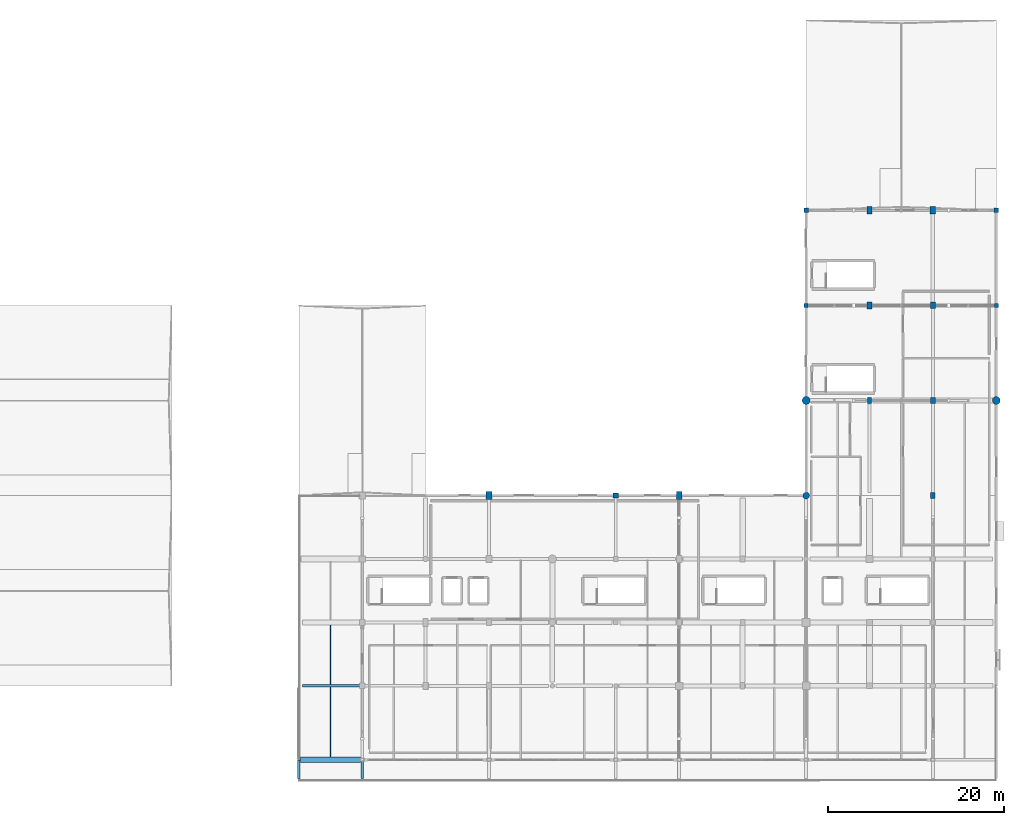
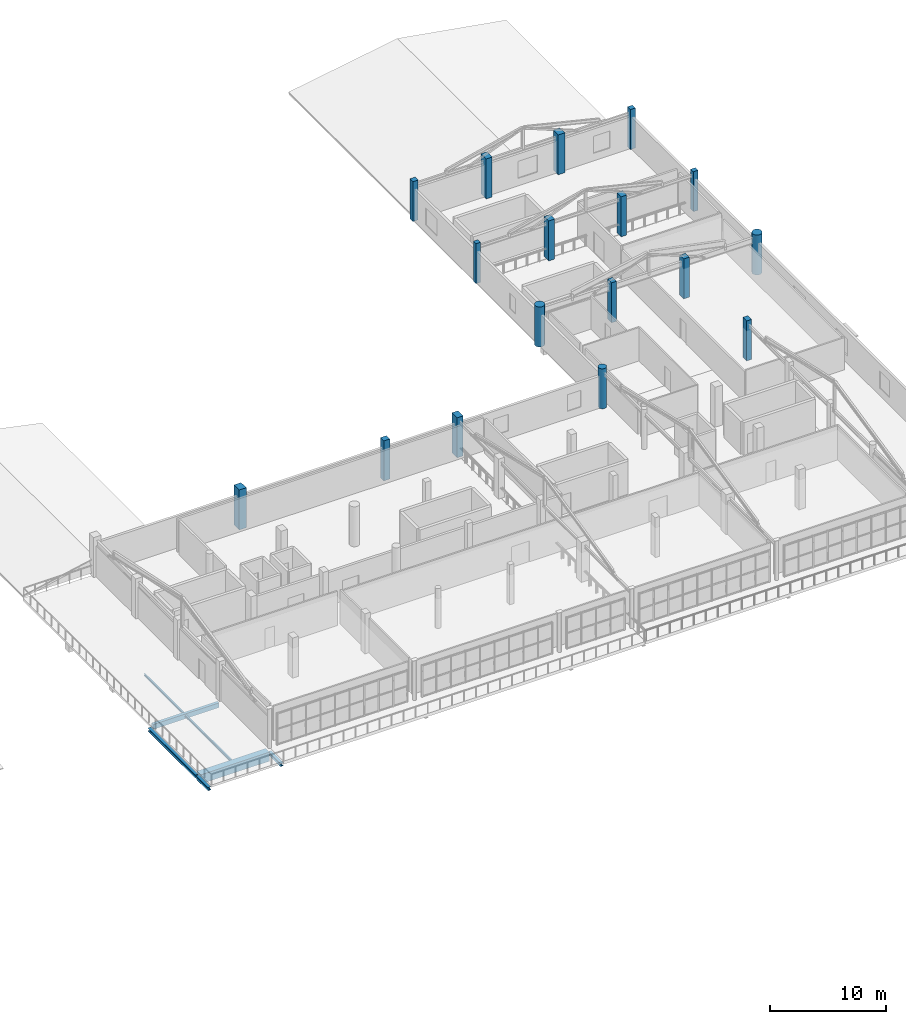
# One storey, part 4 of 41: 17 columns, 7 beams.
"""IFC4 building model written with IfcOpenShell, lengths in metres."""

from ifc_helpers import new_model, si_unit, direction, frame, origin, origin_2d, place, context, subcontext, project, spatial, rectangle, circle, i_section, extrude, material, material_profile, profile_set, type_object, element, save


model = new_model("IFC4")

# Units and contexts
model_context = context("Model", 3, precision=1e-05, world=origin(), true_north=direction((0.0, 1.0)))
body_context = subcontext(model_context, "Body", "Model", "MODEL_VIEW")
ifc_project = project(units=[si_unit("LENGTHUNIT", "METRE"), si_unit("AREAUNIT", "SQUARE_METRE"), si_unit("VOLUMEUNIT", "CUBIC_METRE"), si_unit("PLANEANGLEUNIT", "RADIAN"), si_unit("MASSUNIT", "GRAM", prefix="KILO")], contexts=[model_context])

# Site, building, storey
site_placement = place(None, origin())
site = spatial("IfcSite", under=ifc_project, at=site_placement, CompositionType="ELEMENT")
building_placement = place(site_placement, origin())
building = spatial("IfcBuilding", under=site, at=building_placement, Name="Solanera Park Tramway Depot", CompositionType="ELEMENT")
storey_placement = place(building_placement, frame((0.0, 0.0, 13.199951171875)))
storey = spatial("IfcBuildingStorey", under=building, at=storey_placement, Name="L03", CompositionType="ELEMENT", Elevation=13.199951171875)

# Columns
ifc_material_1 = material(Name="Concrete N40 (C40/50)", Category="concrete")
ifc_material_profile_1 = material_profile(ifc_material_1, rectangle(XDim=0.449951171875, YDim=0.449951171875, at=origin_2d()), Name="RC 450x450")
ifc_profile_set_1 = profile_set([ifc_material_profile_1], Name="Concrete N40 (C40/50)")
column_type_1 = type_object("IfcColumnType", Name="RC Column Ext RC 450x450", PredefinedType="COLUMN", material=ifc_profile_set_1)
for number, where, z_axis, x_axis, name in (
    (1, (165.60009765625, 54.0, 0.0), (0.0, 0.0, 1.0), (1.0, 0.0, 0.0), "L03 Column V4-X1656-Y540"),
    (2, (187.199951171875, 54.0, 0.0), (0.0, 0.0, 1.0), (1.0, 0.0, 0.0), "L03 Column V4-X1872-Y540"),
):
    element("IfcColumn", number, at=place(storey_placement, frame(where, z_axis=z_axis, x_axis=x_axis)), inside=storey, type_object=column_type_1, Name=name, PredefinedType="COLUMN", context=body_context, shape_type="SweptSolid", body=[
        extrude(rectangle(XDim=0.449951171875, YDim=0.449951171875, at=origin_2d()), origin(), (0.0, 0.0, 1.0), 4.199951171875),
    ])
ifc_material_2 = material(Name="Concrete N40 (C40/50)", Category="concrete")
ifc_material_profile_2 = material_profile(ifc_material_2, rectangle(XDim=0.5, YDim=0.5, at=origin_2d()), Name="RC 500x500")
ifc_profile_set_2 = profile_set([ifc_material_profile_2], Name="Concrete N40 (C40/50)")
column_type_2 = type_object("IfcColumnType", Name="RC Column Ext RC 500x500", PredefinedType="COLUMN", material=ifc_profile_set_2)
column_1_placement = place(storey_placement, frame((187.199951171875, 64.800048828125, 0.0), z_axis=(0.0, 0.0, 1.0), x_axis=(1.0, 0.0, 0.0)))
element("IfcColumn", 3, at=column_1_placement, inside=storey, type_object=column_type_2, Name="L03 Column V4-X1872-Y648", PredefinedType="COLUMN", context=body_context, shape_type="SweptSolid", body=[
    extrude(rectangle(XDim=0.5, YDim=0.5, at=origin_2d()), origin(), (0.0, 0.0, 1.0), 4.199951171875),
])
ifc_material_3 = material(Name="Concrete N40 (C40/50)", Category="concrete")
ifc_material_profile_3 = material_profile(ifc_material_3, rectangle(XDim=0.550048828125, YDim=0.75, at=origin_2d()), Name="RC 550x750")
ifc_profile_set_3 = profile_set([ifc_material_profile_3], Name="Concrete N40 (C40/50)")
column_type_3 = type_object("IfcColumnType", Name="RC Column Ext RC 550x750", PredefinedType="COLUMN", material=ifc_profile_set_3)
column_2_placement = place(storey_placement, frame((180.0, 54.0, 0.0), z_axis=(0.0, 0.0, 1.0), x_axis=(1.0, 0.0, 0.0)))
element("IfcColumn", 4, at=column_2_placement, inside=storey, type_object=column_type_3, Name="L03 Column V4-X1800-Y540", PredefinedType="COLUMN", context=body_context, shape_type="SweptSolid", body=[
    extrude(rectangle(XDim=0.550048828125, YDim=0.75, at=origin_2d()), origin(), (0.0, 0.0, 1.0), 4.199951171875),
])
ifc_material_4 = material(Name="Concrete N40 (C40/50)", Category="concrete")
ifc_material_profile_4 = material_profile(ifc_material_4, rectangle(XDim=0.60009765625, YDim=0.800048828125, at=origin_2d()), Name="RC 600x800")
ifc_profile_set_4 = profile_set([ifc_material_profile_4], Name="Concrete N40 (C40/50)")
column_type_4 = type_object("IfcColumnType", Name="RC Column Ext RC 600x800", PredefinedType="COLUMN", material=ifc_profile_set_4)
column_3_placement = place(storey_placement, frame((172.800048828125, 54.0, 0.0), z_axis=(0.0, 0.0, 1.0), x_axis=(1.0, 0.0, 0.0)))
element("IfcColumn", 5, at=column_3_placement, inside=storey, type_object=column_type_4, Name="L03 Column V4-X1728-Y540", PredefinedType="COLUMN", context=body_context, shape_type="SweptSolid", body=[
    extrude(rectangle(XDim=0.60009765625, YDim=0.800048828125, at=origin_2d()), origin(), (0.0, 0.0, 1.0), 4.199951171875),
])
ifc_material_5 = material(Name="Concrete N40 (C40/50)", Category="concrete")
ifc_material_profile_5 = material_profile(ifc_material_5, circle(Radius=0.449951171875, at=origin_2d()), Name="RC D900")
ifc_profile_set_5 = profile_set([ifc_material_profile_5], Name="Concrete N40 (C40/50)")
column_type_5 = type_object("IfcColumnType", Name="RC Column Ext RC D900", PredefinedType="COLUMN", material=ifc_profile_set_5)
column_4_placement = place(storey_placement, frame((187.199951171875, 43.199951171875, 0.0), z_axis=(0.0, 0.0, 1.0), x_axis=(1.0, 0.0, 0.0)))
element("IfcColumn", 6, at=column_4_placement, inside=storey, type_object=column_type_5, Name="L03 Column V4-X1872-Y432", PredefinedType="COLUMN", context=body_context, shape_type="SweptSolid", body=[
    extrude(circle(Radius=0.449951171875, at=origin_2d()), origin(), (0.0, 0.0, 1.0), 4.199951171875),
])
ifc_material_6 = material(Name="Concrete N40 (C40/50)", Category="concrete")
ifc_material_profile_6 = material_profile(ifc_material_6, rectangle(XDim=0.5, YDim=0.5, at=origin_2d()), Name="RC 500x500")
ifc_profile_set_6 = profile_set([ifc_material_profile_6], Name="Concrete N40 (C40/50)")
column_type_6 = type_object("IfcColumnType", Name="RC Column Int RC 500x500", PredefinedType="COLUMN", material=ifc_profile_set_6)
column_5_placement = place(storey_placement, frame((165.60009765625, 64.800048828125, 0.0), z_axis=(0.0, 0.0, 1.0), x_axis=(1.0, 0.0, 0.0)))
element("IfcColumn", 7, at=column_5_placement, inside=storey, type_object=column_type_6, Name="L03 Column V4-X1656-Y648", PredefinedType="COLUMN", context=body_context, shape_type="SweptSolid", body=[
    extrude(rectangle(XDim=0.5, YDim=0.5, at=origin_2d()), origin(), (0.0, 0.0, 1.0), 4.199951171875),
])
ifc_material_7 = material(Name="Concrete N40 (C40/50)", Category="concrete")
ifc_material_profile_7 = material_profile(ifc_material_7, rectangle(XDim=0.5, YDim=0.64990234375, at=origin_2d()), Name="RC 500x650")
ifc_profile_set_7 = profile_set([ifc_material_profile_7], Name="Concrete N40 (C40/50)")
column_type_7 = type_object("IfcColumnType", Name="RC Column Int RC 500x650", PredefinedType="COLUMN", material=ifc_profile_set_7)
column_6_placement = place(storey_placement, frame((180.0, 32.39990234375, 0.0), z_axis=(0.0, 0.0, 1.0), x_axis=(1.0, 0.0, 0.0)))
element("IfcColumn", 8, at=column_6_placement, inside=storey, type_object=column_type_7, Name="L03 Column V4-X1800-Y324", PredefinedType="COLUMN", context=body_context, shape_type="SweptSolid", body=[
    extrude(rectangle(XDim=0.5, YDim=0.64990234375, at=origin_2d()), origin(), (0.0, 0.0, 1.0), 4.199951171875),
])
ifc_material_8 = material(Name="Concrete N40 (C40/50)", Category="concrete")
ifc_material_profile_8 = material_profile(ifc_material_8, rectangle(XDim=0.5, YDim=0.699951171875, at=origin_2d()), Name="RC 500x700")
ifc_profile_set_8 = profile_set([ifc_material_profile_8], Name="Concrete N40 (C40/50)")
column_type_8 = type_object("IfcColumnType", Name="RC Column Int RC 500x700", PredefinedType="COLUMN", material=ifc_profile_set_8)
column_7_placement = place(storey_placement, frame((172.800048828125, 43.199951171875, 0.0), z_axis=(0.0, 0.0, 1.0), x_axis=(1.0, 0.0, 0.0)))
element("IfcColumn", 9, at=column_7_placement, inside=storey, type_object=column_type_8, Name="L03 Column V4-X1728-Y432", PredefinedType="COLUMN", context=body_context, shape_type="SweptSolid", body=[
    extrude(rectangle(XDim=0.5, YDim=0.699951171875, at=origin_2d()), origin(), (0.0, 0.0, 1.0), 4.199951171875),
])
ifc_material_9 = material(Name="Concrete N40 (C40/50)", Category="concrete")
ifc_material_profile_9 = material_profile(ifc_material_9, rectangle(XDim=0.550048828125, YDim=0.699951171875, at=origin_2d()), Name="RC 550x700")
ifc_profile_set_9 = profile_set([ifc_material_profile_9], Name="Concrete N40 (C40/50)")
column_type_9 = type_object("IfcColumnType", Name="RC Column Int RC 550x700", PredefinedType="COLUMN", material=ifc_profile_set_9)
column_8_placement = place(storey_placement, frame((180.0, 43.199951171875, 0.0), z_axis=(0.0, 0.0, 1.0), x_axis=(1.0, 0.0, 0.0)))
element("IfcColumn", 10, at=column_8_placement, inside=storey, type_object=column_type_9, Name="L03 Column V4-X1800-Y432", PredefinedType="COLUMN", context=body_context, shape_type="SweptSolid", body=[
    extrude(rectangle(XDim=0.550048828125, YDim=0.699951171875, at=origin_2d()), origin(), (0.0, 0.0, 1.0), 4.199951171875),
])
ifc_material_10 = material(Name="Concrete N40 (C40/50)", Category="concrete")
ifc_material_profile_10 = material_profile(ifc_material_10, rectangle(XDim=0.60009765625, YDim=0.60009765625, at=origin_2d()), Name="RC 600x600")
ifc_profile_set_10 = profile_set([ifc_material_profile_10], Name="Concrete N40 (C40/50)")
column_type_10 = type_object("IfcColumnType", Name="RC Column Int RC 600x600", PredefinedType="COLUMN", material=ifc_profile_set_10)
column_9_placement = place(storey_placement, frame((144.0, 32.39990234375, 0.0), z_axis=(0.0, 0.0, 1.0), x_axis=(1.0, 0.0, 0.0)))
element("IfcColumn", 11, at=column_9_placement, inside=storey, type_object=column_type_10, Name="L03 Column V4-X1440-Y324", PredefinedType="COLUMN", context=body_context, shape_type="SweptSolid", body=[
    extrude(rectangle(XDim=0.60009765625, YDim=0.60009765625, at=origin_2d()), origin(), (0.0, 0.0, 1.0), 4.199951171875),
])
ifc_material_11 = material(Name="Concrete N40 (C40/50)", Category="concrete")
ifc_material_profile_11 = material_profile(ifc_material_11, rectangle(XDim=0.60009765625, YDim=0.89990234375, at=origin_2d()), Name="RC 600x900")
ifc_profile_set_11 = profile_set([ifc_material_profile_11], Name="Concrete N40 (C40/50)")
column_type_11 = type_object("IfcColumnType", Name="RC Column Int RC 600x900", PredefinedType="COLUMN", material=ifc_profile_set_11)
for number, where, z_axis, x_axis, name in (
    (12, (151.199951171875, 32.39990234375, 0.0), (0.0, 0.0, 1.0), (1.0, 0.0, 0.0), "L03 Column V4-X1512-Y324"),
    (13, (172.800048828125, 64.800048828125, 0.0), (0.0, 0.0, 1.0), (1.0, 0.0, 0.0), "L03 Column V4-X1728-Y648"),
):
    element("IfcColumn", number, at=place(storey_placement, frame(where, z_axis=z_axis, x_axis=x_axis)), inside=storey, type_object=column_type_11, Name=name, PredefinedType="COLUMN", context=body_context, shape_type="SweptSolid", body=[
        extrude(rectangle(XDim=0.60009765625, YDim=0.89990234375, at=origin_2d()), origin(), (0.0, 0.0, 1.0), 4.199951171875),
    ])
ifc_material_12 = material(Name="Concrete N40 (C40/50)", Category="concrete")
ifc_material_profile_12 = material_profile(ifc_material_12, rectangle(XDim=0.64990234375, YDim=0.85009765625, at=origin_2d()), Name="RC 650x850")
ifc_profile_set_12 = profile_set([ifc_material_profile_12], Name="Concrete N40 (C40/50)")
column_type_12 = type_object("IfcColumnType", Name="RC Column Int RC 650x850", PredefinedType="COLUMN", material=ifc_profile_set_12)
column_10_placement = place(storey_placement, frame((180.0, 64.800048828125, 0.0), z_axis=(0.0, 0.0, 1.0), x_axis=(1.0, 0.0, 0.0)))
element("IfcColumn", 14, at=column_10_placement, inside=storey, type_object=column_type_12, Name="L03 Column V4-X1800-Y648", PredefinedType="COLUMN", context=body_context, shape_type="SweptSolid", body=[
    extrude(rectangle(XDim=0.64990234375, YDim=0.85009765625, at=origin_2d()), origin(), (0.0, 0.0, 1.0), 4.199951171875),
])
ifc_material_13 = material(Name="Concrete N40 (C40/50)", Category="concrete")
ifc_material_profile_13 = material_profile(ifc_material_13, rectangle(XDim=0.699951171875, YDim=0.89990234375, at=origin_2d()), Name="RC 700x900")
ifc_profile_set_13 = profile_set([ifc_material_profile_13], Name="Concrete N40 (C40/50)")
column_type_13 = type_object("IfcColumnType", Name="RC Column Int RC 700x900", PredefinedType="COLUMN", material=ifc_profile_set_13)
column_11_placement = place(storey_placement, frame((129.60009765625, 32.39990234375, 0.0), z_axis=(0.0, 0.0, 1.0), x_axis=(1.0, 0.0, 0.0)))
element("IfcColumn", 15, at=column_11_placement, inside=storey, type_object=column_type_13, Name="L03 Column V4-X1296-Y324", PredefinedType="COLUMN", context=body_context, shape_type="SweptSolid", body=[
    extrude(rectangle(XDim=0.699951171875, YDim=0.89990234375, at=origin_2d()), origin(), (0.0, 0.0, 1.0), 4.199951171875),
])
ifc_material_14 = material(Name="Concrete N40 (C40/50)", Category="concrete")
ifc_material_profile_14 = material_profile(ifc_material_14, circle(Radius=0.375, at=origin_2d()), Name="RC D750")
ifc_profile_set_14 = profile_set([ifc_material_profile_14], Name="Concrete N40 (C40/50)")
column_type_14 = type_object("IfcColumnType", Name="RC Column Int RC D750", PredefinedType="COLUMN", material=ifc_profile_set_14)
column_12_placement = place(storey_placement, frame((165.60009765625, 32.39990234375, 0.0), z_axis=(0.0, 0.0, 1.0), x_axis=(1.0, 0.0, 0.0)))
element("IfcColumn", 16, at=column_12_placement, inside=storey, type_object=column_type_14, Name="L03 Column V4-X1656-Y324", PredefinedType="COLUMN", context=body_context, shape_type="SweptSolid", body=[
    extrude(circle(Radius=0.375, at=origin_2d()), origin(), (0.0, 0.0, 1.0), 4.199951171875),
])
ifc_material_15 = material(Name="Concrete N40 (C40/50)", Category="concrete")
ifc_material_profile_15 = material_profile(ifc_material_15, circle(Radius=0.449951171875, at=origin_2d()), Name="RC D900")
ifc_profile_set_15 = profile_set([ifc_material_profile_15], Name="Concrete N40 (C40/50)")
column_type_15 = type_object("IfcColumnType", Name="RC Column Int RC D900", PredefinedType="COLUMN", material=ifc_profile_set_15)
column_13_placement = place(storey_placement, frame((165.60009765625, 43.199951171875, 0.0), z_axis=(0.0, 0.0, 1.0), x_axis=(1.0, 0.0, 0.0)))
element("IfcColumn", 17, at=column_13_placement, inside=storey, type_object=column_type_15, Name="L03 Column V4-X1656-Y432", PredefinedType="COLUMN", context=body_context, shape_type="SweptSolid", body=[
    extrude(circle(Radius=0.449951171875, at=origin_2d()), origin(), (0.0, 0.0, 1.0), 4.199951171875),
])

# Beams
ifc_material_16 = material(Name="Concrete N40 (C40/50)", Category="concrete")
ifc_material_profile_16 = material_profile(ifc_material_16, rectangle(XDim=0.300048828125, YDim=0.5, at=origin_2d()), Name="RCB 300x500")
ifc_profile_set_16 = profile_set([ifc_material_profile_16], Name="Concrete N40 (C40/50)")
beam_type_1 = type_object("IfcBeamType", Name="RC Floor Beam RCB 300x500", PredefinedType="BEAM", material=ifc_profile_set_16)
beam_1_placement = place(storey_placement, frame((108.425048828125, 10.800048828125, -0.48388671875), z_axis=(1.0, 0.0, 0.0), x_axis=(0.0, 1.0, 0.0)))
element("IfcBeam", 18, at=beam_1_placement, inside=storey, type_object=beam_type_1, Name="L03 Primary X-Girder RCB 300x500 #0202", PredefinedType="BEAM", context=body_context, shape_type="SweptSolid", body=[
    extrude(rectangle(XDim=0.300048828125, YDim=0.5, at=origin_2d()), origin(), (0.0, 0.0, 1.0), 6.52490234375),
])
ifc_material_17 = material(Name="Concrete N40 (C40/50)", Category="concrete")
ifc_material_profile_17 = material_profile(ifc_material_17, rectangle(XDim=0.64990234375, YDim=0.949951171875, at=origin_2d()), Name="RCB 650x950")
ifc_profile_set_17 = profile_set([ifc_material_profile_17], Name="Concrete N40 (C40/50)")
beam_type_2 = type_object("IfcBeamType", Name="RC Floor Beam RCB 650x950", PredefinedType="BEAM", material=ifc_profile_set_17)
beam_2_placement = place(storey_placement, frame((108.179931640625, 2.39990234375, -0.708984375), z_axis=(1.0, 0.0, 0.0), x_axis=(0.0, 1.0, 0.0)))
element("IfcBeam", 19, at=beam_2_placement, inside=storey, type_object=beam_type_2, Name="L03 Primary X-Girder RCB 650x950 #0195", PredefinedType="BEAM", context=body_context, shape_type="SweptSolid", body=[
    extrude(rectangle(XDim=0.64990234375, YDim=0.949951171875, at=origin_2d()), origin(), (0.0, 0.0, 1.0), 6.840087890625),
])
ifc_material_18 = material(Name="Steel AS/NZS 3679.1 Grade 350", Category="steel")
ifc_material_profile_18 = material_profile(ifc_material_18, i_section(OverallWidth=0.310546875, OverallDepth=0.3271484375, WebThickness=0.015625, FlangeThickness=0.02490234375, at=origin_2d()), Name="310UC158")
ifc_profile_set_18 = profile_set([ifc_material_profile_18], Name="Steel AS/NZS 3679.1 Grade 350")
beam_type_3 = type_object("IfcBeamType", Name="Steel Beam 310UC158", PredefinedType="BEAM", material=ifc_profile_set_18)
for number, where, z_axis, x_axis, name in (
    (20, (115.199951171875, 0.25, -0.52001953125), (0.0, 1.0, 0.0), (-1.0, 0.0, 0.0), "L03 Transfer Truss Nose Cantilever 310UC158 #0306"),
    (21, (108.0, 0.25, -0.52001953125), (0.0, 1.0, 0.0), (-1.0, 0.0, 0.0), "L03 Azotea Upper Nose Cantilever 310UC158 #0348"),
):
    element("IfcBeam", number, at=place(storey_placement, frame(where, z_axis=z_axis, x_axis=x_axis)), inside=storey, type_object=beam_type_3, Name=name, PredefinedType="BEAM", context=body_context, shape_type="SweptSolid", body=[
        extrude(i_section(OverallWidth=0.310546875, OverallDepth=0.3271484375, WebThickness=0.015625, FlangeThickness=0.02490234375, at=origin_2d()), origin(), (0.0, 0.0, 1.0), 2.110107421875),
    ])
beam_3_placement = place(storey_placement, frame((108.0, 2.43994140625, -0.52001953125), z_axis=(0.0, 1.0, 0.0), x_axis=(-1.0, 0.0, 0.0)))
element("IfcBeam", 22, at=beam_3_placement, inside=storey, type_object=beam_type_3, Name="L03 Azotea Upper Backspan Girder 310UC158 #0349", PredefinedType="BEAM", context=body_context, shape_type="SweptSolid", body=[
    extrude(i_section(OverallWidth=0.310546875, OverallDepth=0.3271484375, WebThickness=0.015625, FlangeThickness=0.02490234375, at=origin_2d()), origin(), (0.0, 0.0, 1.0), 8.16015625),
])
ifc_material_19 = material(Name="Steel AS/NZS 3679.1 Grade 350", Category="steel")
ifc_material_profile_19 = material_profile(ifc_material_19, i_section(OverallWidth=0.13330078125, OverallDepth=0.203125, WebThickness=0.005859375, FlangeThickness=0.0078125, at=origin_2d()), Name="200UB25.4")
ifc_profile_set_19 = profile_set([ifc_material_profile_19], Name="Steel AS/NZS 3679.1 Grade 350")
beam_type_4 = type_object("IfcBeamType", Name="Steel Joist Purlin 200UB25.4", PredefinedType="JOIST", material=ifc_profile_set_19)
beam_4_placement = place(storey_placement, frame((111.60009765625, 10.94189453125, -0.33544921875), z_axis=(0.0, 1.0, 0.0), x_axis=(-1.0, 0.0, 0.0)))
element("IfcBeam", 23, at=beam_4_placement, inside=storey, type_object=beam_type_4, Name="L03 Secondary Floor Joist 200UB25.4 #0261", PredefinedType="JOIST", context=body_context, shape_type="SweptSolid", body=[
    extrude(i_section(OverallWidth=0.13330078125, OverallDepth=0.203125, WebThickness=0.005859375, FlangeThickness=0.0078125, at=origin_2d()), origin(), (0.0, 0.0, 1.0), 6.76611328125),
])
ifc_material_20 = material(Name="Steel AS/NZS 3679.1 Grade 350", Category="steel")
ifc_material_profile_20 = material_profile(ifc_material_20, i_section(OverallWidth=0.14599609375, OverallDepth=0.251708984375, WebThickness=0.006103515625, FlangeThickness=0.008544921875, at=origin_2d()), Name="250UB31.4")
ifc_profile_set_20 = profile_set([ifc_material_profile_20], Name="Steel AS/NZS 3679.1 Grade 350")
beam_type_5 = type_object("IfcBeamType", Name="Steel Joist Purlin 250UB31.4", PredefinedType="JOIST", material=ifc_profile_set_20)
beam_5_placement = place(storey_placement, frame((111.60009765625, 2.717041015625, -0.35986328125), z_axis=(0.0, 1.0, 0.0), x_axis=(-1.0, 0.0, 0.0)))
element("IfcBeam", 24, at=beam_5_placement, inside=storey, type_object=beam_type_5, Name="L03 Secondary Floor Joist 250UB31.4 #0250", PredefinedType="JOIST", context=body_context, shape_type="SweptSolid", body=[
    extrude(i_section(OverallWidth=0.14599609375, OverallDepth=0.251708984375, WebThickness=0.006103515625, FlangeThickness=0.008544921875, at=origin_2d()), origin(), (0.0, 0.0, 1.0), 7.94091796875),
])

save(model, "model.ifc")
